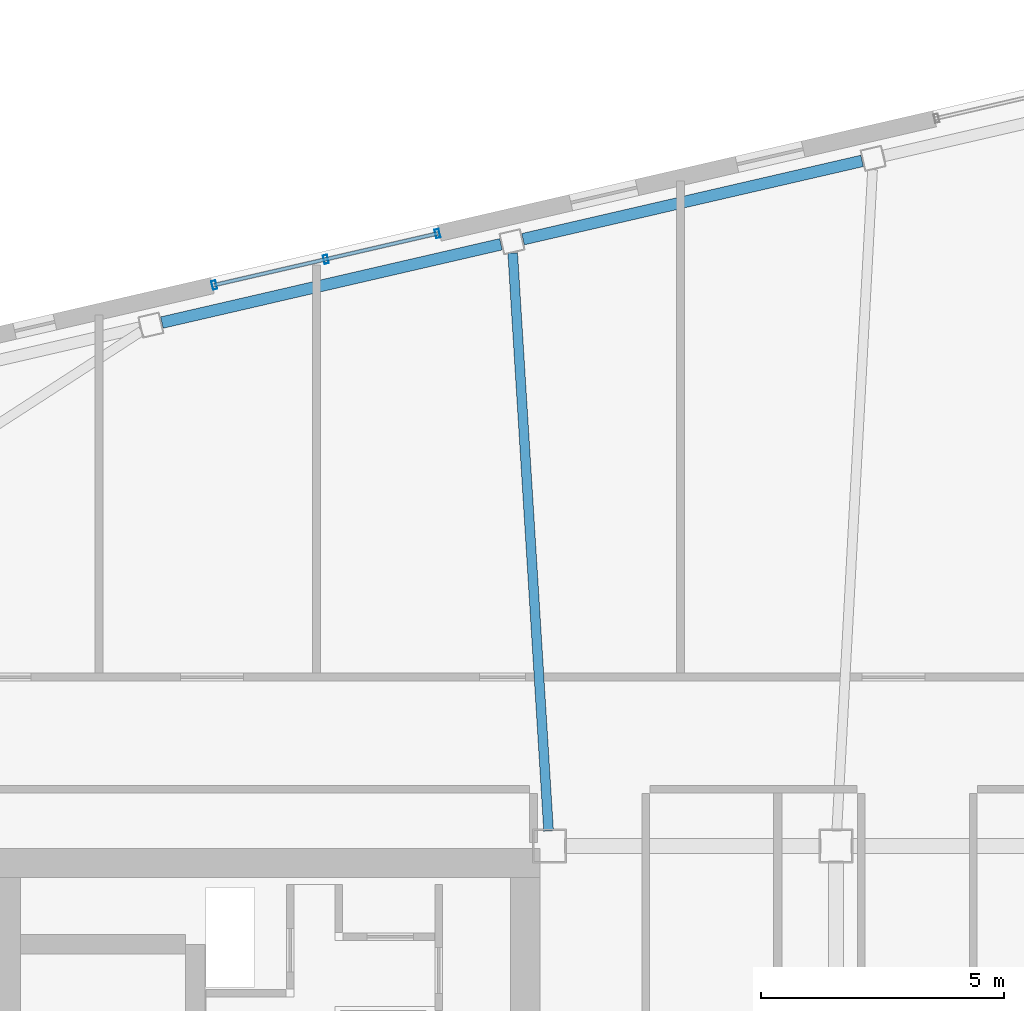
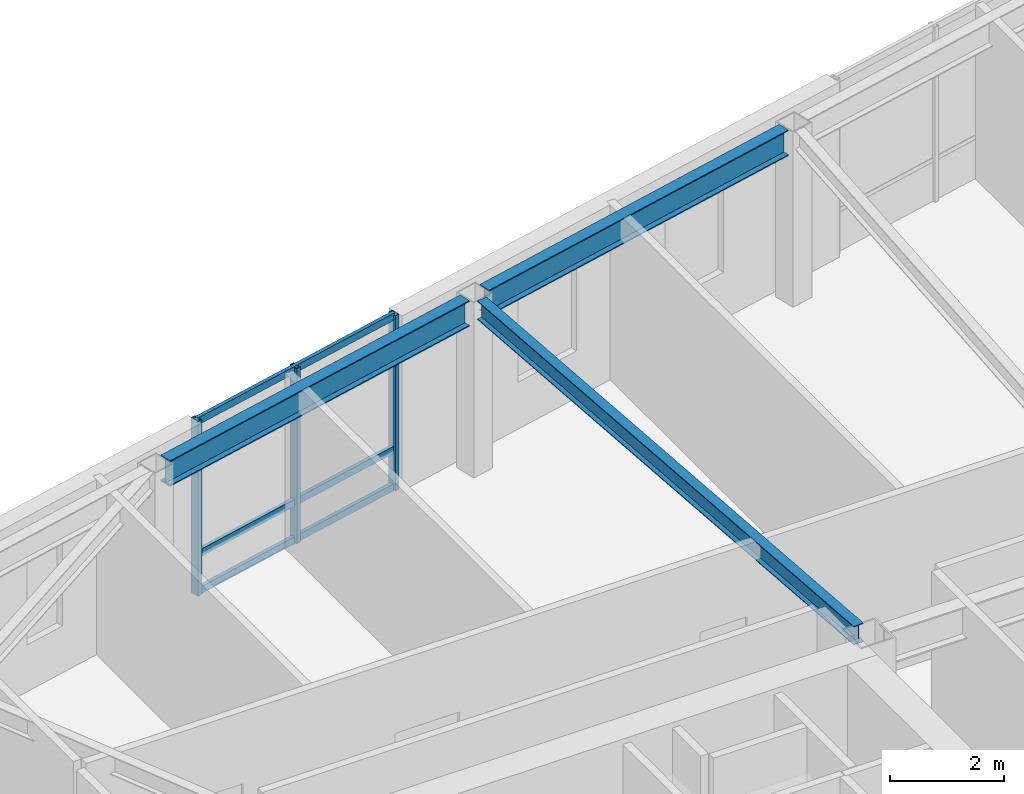
# One storey, part 12 of 24: 6 members, 3 beams, 1 element without a shape of its own.
"""IFC4 building model written with IfcOpenShell, lengths in metres."""

from ifc_helpers import new_model, si_unit, direction, frame, origin, origin_2d, place, context, subcontext, project, spatial, hollow_rectangle, i_section, extrude, material, layer, layer_set, material_profile, profile_set, type_object, element, aggregate, save


model = new_model("IFC4")

# Units and contexts
model_context = context("Model", 3, precision=1e-05, world=origin(), true_north=direction((0.0, 1.0)))
body_context = subcontext(model_context, "Body", "Model", "MODEL_VIEW")
ifc_project = project(units=[si_unit("LENGTHUNIT", "METRE"), si_unit("AREAUNIT", "SQUARE_METRE"), si_unit("VOLUMEUNIT", "CUBIC_METRE"), si_unit("PLANEANGLEUNIT", "RADIAN"), si_unit("MASSUNIT", "GRAM", prefix="KILO")], contexts=[model_context])

# Site, building, storey
site_placement = place(None, origin())
site = spatial("IfcSite", under=ifc_project, at=site_placement, CompositionType="ELEMENT")
building_placement = place(site_placement, origin())
building = spatial("IfcBuilding", under=site, at=building_placement, Name="Tavrogorsk Clinical Tower", CompositionType="ELEMENT")
storey_placement = place(building_placement, frame((0.0, 0.0, 325.0)))
storey = spatial("IfcBuildingStorey", under=building, at=storey_placement, Name="L76", CompositionType="ELEMENT", Elevation=325.0)

# Curtain wall, members
ifc_material_1 = material(Name="Anodised aluminium and triple IGU glazing", Category="aluminium")
ifc_layer = layer(ifc_material_1, 0.179931640625)
ifc_layer_set = layer_set([ifc_layer], Name="Anodised aluminium and triple IGU glazing")
curtain_wall_type = type_object("IfcCurtainWallType", Name="CW2_NorthSlot", PredefinedType="NOTDEFINED", material=ifc_layer_set)
curtain_wall_placement = place(storey_placement, origin())
curtain_wall = element("IfcCurtainWall", 1, at=curtain_wall_placement, inside=storey, type_object=curtain_wall_type, Name="L76 Curtain Wall CW-L76-N-SLOT-1", PredefinedType="NOTDEFINED")
ifc_material_2 = material(Name="Anodised aluminium alloy AW-6060", Category="aluminium")
ifc_material_profile_1 = material_profile(ifc_material_2, hollow_rectangle(XDim=0.090087890625, YDim=0.179931640625, WallThickness=0.00634765625, at=origin_2d()), Name="RHS-180x90x6.3")
ifc_profile_set_1 = profile_set([ifc_material_profile_1], Name="Anodised aluminium alloy AW-6060")
member_type_1 = type_object("IfcMemberType", Name="CwMullion_180x90", PredefinedType="MULLION", material=ifc_profile_set_1)
member_1_placement = place(storey_placement, frame((-12.608154296875, 18.9658203125, 0.0), z_axis=(0.0, 0.0, 1.0), x_axis=(-0.974370057377, -0.224951086434, 0.0)))
member_1 = element("IfcMember", 2, at=member_1_placement, type_object=member_type_1, Name="CW-L76-N-SLOT-1 Mullion 1", PredefinedType="MULLION", context=body_context, shape_type="SweptSolid", body=[
    extrude(hollow_rectangle(XDim=0.090087890625, YDim=0.179931640625, WallThickness=0.00634765625, at=origin_2d()), origin(), (0.0, 0.0, 1.0), 3.739990234375),
])
member_2_placement = place(storey_placement, frame((-14.90673828125, 18.435302734375, 0.0), z_axis=(0.0, 0.0, 1.0), x_axis=(-0.974370057377, -0.224951086434, 0.0)))
member_2 = element("IfcMember", 3, at=member_2_placement, type_object=member_type_1, Name="CW-L76-N-SLOT-1 Mullion 2", PredefinedType="MULLION", context=body_context, shape_type="SweptSolid", body=[
    extrude(hollow_rectangle(XDim=0.090087890625, YDim=0.179931640625, WallThickness=0.00634765625, at=origin_2d()), origin(), (0.0, 0.0, 1.0), 3.739990234375),
])
member_3_placement = place(storey_placement, frame((-17.205322265625, 17.904541015625, 0.0), z_axis=(0.0, 0.0, 1.0), x_axis=(-0.974370057377, -0.224951086434, 0.0)))
member_3 = element("IfcMember", 4, at=member_3_placement, type_object=member_type_1, Name="CW-L76-N-SLOT-1 Mullion 3", PredefinedType="MULLION", context=body_context, shape_type="SweptSolid", body=[
    extrude(hollow_rectangle(XDim=0.090087890625, YDim=0.179931640625, WallThickness=0.00634765625, at=origin_2d()), origin(), (0.0, 0.0, 1.0), 3.739990234375),
])
ifc_material_3 = material(Name="Anodised aluminium alloy AW-6060", Category="aluminium")
ifc_material_profile_2 = material_profile(ifc_material_3, hollow_rectangle(XDim=0.074951171875, YDim=0.14990234375, WallThickness=0.0048828125, at=origin_2d()), Name="RHS-150x75x5")
ifc_profile_set_2 = profile_set([ifc_material_profile_2], Name="Anodised aluminium alloy AW-6060")
member_type_2 = type_object("IfcMemberType", Name="CwTransom_150x75", PredefinedType="USERDEFINED", material=ifc_profile_set_2)
member_4_placement = place(storey_placement, frame((-12.608154296875, 18.9658203125, 0.050048828125), z_axis=(-0.974372877948, -0.22493886885, 0.0), x_axis=(0.22493886885, -0.974372877948, 0.0)))
member_4 = element("IfcMember", 5, at=member_4_placement, type_object=member_type_2, Name="CW-L76-N-SLOT-1 Transom 1", ObjectType="TRANSOM", PredefinedType="USERDEFINED", context=body_context, shape_type="SweptSolid", body=[
    extrude(hollow_rectangle(XDim=0.074951171875, YDim=0.14990234375, WallThickness=0.0048828125, at=origin_2d()), origin(), (0.0, 0.0, 1.0), 4.718017578125),
])
member_5_placement = place(storey_placement, frame((-12.608154296875, 18.9658203125, 0.85009765625), z_axis=(-0.974372877948, -0.22493886885, 0.0), x_axis=(0.22493886885, -0.974372877948, 0.0)))
member_5 = element("IfcMember", 6, at=member_5_placement, type_object=member_type_2, Name="CW-L76-N-SLOT-1 Transom 2", ObjectType="TRANSOM", PredefinedType="USERDEFINED", context=body_context, shape_type="SweptSolid", body=[
    extrude(hollow_rectangle(XDim=0.074951171875, YDim=0.14990234375, WallThickness=0.0048828125, at=origin_2d()), origin(), (0.0, 0.0, 1.0), 4.718017578125),
])
member_6_placement = place(storey_placement, frame((-12.608154296875, 18.9658203125, 3.68994140625), z_axis=(-0.974372877948, -0.22493886885, 0.0), x_axis=(0.22493886885, -0.974372877948, 0.0)))
member_6 = element("IfcMember", 7, at=member_6_placement, type_object=member_type_2, Name="CW-L76-N-SLOT-1 Transom 3", ObjectType="TRANSOM", PredefinedType="USERDEFINED", context=body_context, shape_type="SweptSolid", body=[
    extrude(hollow_rectangle(XDim=0.074951171875, YDim=0.14990234375, WallThickness=0.0048828125, at=origin_2d()), origin(), (0.0, 0.0, 1.0), 4.718017578125),
])
aggregate(curtain_wall, [member_1, member_2, member_3, member_4, member_5, member_6])

# Beams
ifc_material_4 = material(Name="Structural steel S355", Category="steel")
ifc_material_profile_3 = material_profile(ifc_material_4, i_section(OverallWidth=0.199951171875, OverallDepth=0.39990234375, WebThickness=0.010498046875, FlangeThickness=0.01611328125, at=origin_2d()), Name="B-400x200x10.5x16")
ifc_profile_set_3 = profile_set([ifc_material_profile_3], Name="Structural steel S355")
beam_type_1 = type_object("IfcBeamType", Name="FloorBeam_B400", PredefinedType="BEAM", material=ifc_profile_set_3)
beam_placement = place(storey_placement, frame((-10.319091796875, 6.659423828125, 3.5400390625), z_axis=(-0.06197688672, 0.998077584916, 0.0), x_axis=(-0.998077584916, -0.06197688672, 0.0)))
element("IfcBeam", 8, at=beam_placement, inside=storey, type_object=beam_type_1, Name="L76 Radial Floor Beam N5", PredefinedType="BEAM", context=body_context, shape_type="SweptSolid", body=[
    extrude(i_section(OverallWidth=0.199951171875, OverallDepth=0.39990234375, WebThickness=0.010498046875, FlangeThickness=0.01611328125, at=origin_2d()), origin(), (0.0, 0.0, 1.0), 11.927978515625),
])
ifc_material_5 = material(Name="Structural steel S390", Category="steel")
ifc_material_profile_4 = material_profile(ifc_material_5, i_section(OverallWidth=0.239990234375, OverallDepth=0.550048828125, WebThickness=0.013916015625, FlangeThickness=0.02197265625, at=origin_2d()), Name="B-550x240x14x22")
ifc_profile_set_4 = profile_set([ifc_material_profile_4], Name="Structural steel S390")
beam_type_2 = type_object("IfcBeamType", Name="SpandrelBeam_B550", PredefinedType="SPANDREL", material=ifc_profile_set_4)
for number, where, z_axis, x_axis, name in (
    (9, (-3.861328125, 20.4619140625, 3.465087890625), (-0.974367655018, -0.224961491939, 0.0), (0.224961491939, -0.974367655018, 0.0), "L76 Perimeter Spandrel N4-N5"),
    (10, (-11.2998046875, 18.74462890625, 3.465087890625), (-0.974367655018, -0.224961491939, 0.0), (0.224961491939, -0.974367655018, 0.0), "L76 Perimeter Spandrel N5-N6"),
):
    element("IfcBeam", number, at=place(storey_placement, frame(where, z_axis=z_axis, x_axis=x_axis)), inside=storey, type_object=beam_type_2, Name=name, PredefinedType="SPANDREL", context=body_context, shape_type="SweptSolid", body=[
        extrude(i_section(OverallWidth=0.239990234375, OverallDepth=0.550048828125, WebThickness=0.013916015625, FlangeThickness=0.02197265625, at=origin_2d()), origin(), (0.0, 0.0, 1.0), 7.168212890625),
    ])

save(model, "model.ifc")
